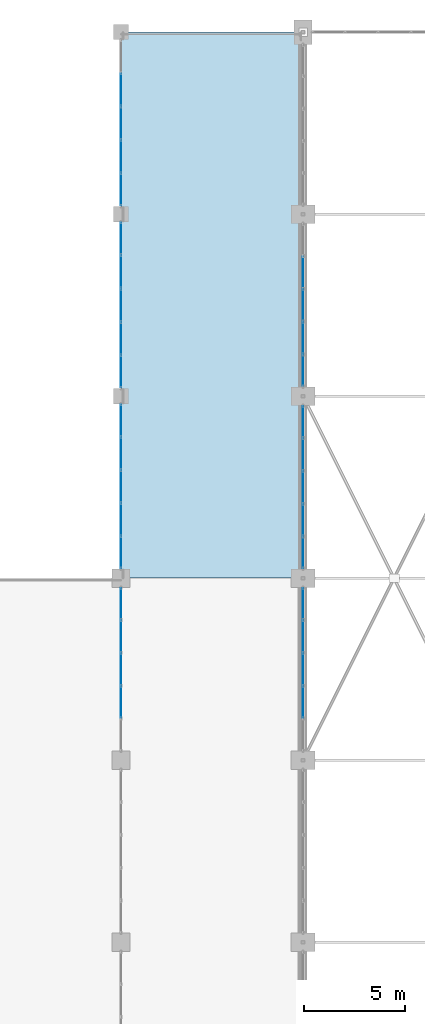
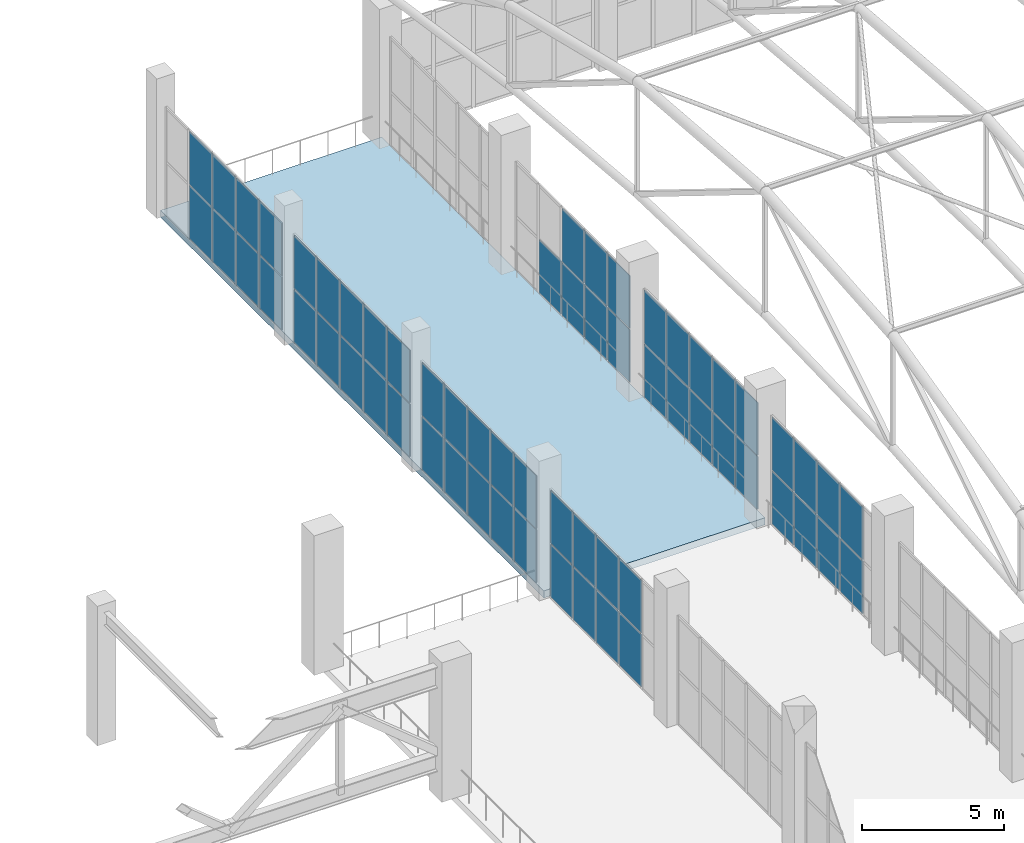
# One storey, part 178 of 223: 61 plates, 1 slab, 7 elements without a shape of their own.
"""IFC4 building model written with IfcOpenShell, lengths in metres."""

from ifc_helpers import new_model, si_unit, direction, frame, origin, origin_2d, place, context, subcontext, project, spatial, polyline, rectangle, outline, extrude, material, layer, layer_set, type_object, element, aggregate, save


model = new_model("IFC4")

# Units and contexts
model_context = context("Model", 3, precision=1e-05, world=origin(), true_north=direction((0.0, 1.0)))
body_context = subcontext(model_context, "Body", "Model", "MODEL_VIEW")
ifc_project = project(units=[si_unit("LENGTHUNIT", "METRE"), si_unit("AREAUNIT", "SQUARE_METRE"), si_unit("VOLUMEUNIT", "CUBIC_METRE"), si_unit("PLANEANGLEUNIT", "RADIAN"), si_unit("MASSUNIT", "GRAM", prefix="KILO")], contexts=[model_context])

# Site, building, storey
site_placement = place(None, origin())
site = spatial("IfcSite", under=ifc_project, at=site_placement, CompositionType="ELEMENT")
building_placement = place(site_placement, origin())
building = spatial("IfcBuilding", under=site, at=building_placement, Name="Dornveld Trade and Exhibition Forum", CompositionType="ELEMENT")
storey_placement = place(building_placement, frame((0.0, 0.0, 6.0)))
storey = spatial("IfcBuildingStorey", under=building, at=storey_placement, Name="L01", CompositionType="ELEMENT", Elevation=6.0)

# Curtain wall, plates
ifc_material_1 = material(Name="Dark-bronze anodised aluminium and low-E glass", Category="aluminium")
ifc_layer_1 = layer(ifc_material_1, 0.177978515625)
ifc_layer_set_1 = layer_set([ifc_layer_1], Name="Dark-bronze anodised aluminium and low-E glass")
curtain_wall_type_1 = type_object("IfcCurtainWallType", Name="CW-SYS-12", PredefinedType="USERDEFINED", material=ifc_layer_set_1)
curtain_wall_1_placement = place(storey_placement, origin())
curtain_wall_1 = element("IfcCurtainWall", 1, at=curtain_wall_1_placement, inside=storey, type_object=curtain_wall_type_1, Name="L01 unitised curtain wall 12", ObjectType="UNITISED_CURTAIN_WALL", PredefinedType="USERDEFINED")
ifc_material_2 = material(Name="Double-glazed low-E solar control glass", Category="glass")
ifc_layer_2 = layer(ifc_material_2, 0.031982421875)
ifc_layer_set_2 = layer_set([ifc_layer_2], Name="Double-glazed low-E solar control glass")
plate_type_1 = type_object("IfcPlateType", Name="CW-PNL-04", PredefinedType="CURTAIN_PANEL", material=ifc_layer_set_2)
plate_1_placement = place(storey_placement, frame((99.0, 133.728271484375, 0.05615234375), z_axis=(0.0, 0.0, 1.0), x_axis=(0.0, -1.0, 0.0)))
plate_1 = element("IfcPlate", 2, at=plate_1_placement, type_object=plate_type_1, Name="CW-12 panel 1.1", PredefinedType="CURTAIN_PANEL", context=body_context, shape_type="SweptSolid", body=[
    extrude(rectangle(XDim=1.531494140625, YDim=0.031982421875, at=origin_2d()), origin(), (0.0, 0.0, 1.0), 2.261962890625),
])
plate_2_placement = place(storey_placement, frame((99.0, 133.728271484375, 2.3779296875), z_axis=(0.0, 0.0, 1.0), x_axis=(0.0, -1.0, 0.0)))
plate_2 = element("IfcPlate", 3, at=plate_2_placement, type_object=plate_type_1, Name="CW-12 panel 1.2", PredefinedType="CURTAIN_PANEL", context=body_context, shape_type="SweptSolid", body=[
    extrude(rectangle(XDim=1.531494140625, YDim=0.031982421875, at=origin_2d()), origin(), (0.0, 0.0, 1.0), 2.261962890625),
])
plate_3_placement = place(storey_placement, frame((99.0, 132.12158203125, 0.05615234375), z_axis=(0.0, 0.0, 1.0), x_axis=(0.0, -1.0, 0.0)))
plate_3 = element("IfcPlate", 4, at=plate_3_placement, type_object=plate_type_1, Name="CW-12 panel 2.1", PredefinedType="CURTAIN_PANEL", context=body_context, shape_type="SweptSolid", body=[
    extrude(rectangle(XDim=1.5615234375, YDim=0.031982421875, at=origin_2d()), origin(), (0.0, 0.0, 1.0), 2.261962890625),
])
plate_4_placement = place(storey_placement, frame((99.0, 132.12158203125, 2.3779296875), z_axis=(0.0, 0.0, 1.0), x_axis=(0.0, -1.0, 0.0)))
plate_4 = element("IfcPlate", 5, at=plate_4_placement, type_object=plate_type_1, Name="CW-12 panel 2.2", PredefinedType="CURTAIN_PANEL", context=body_context, shape_type="SweptSolid", body=[
    extrude(rectangle(XDim=1.5615234375, YDim=0.031982421875, at=origin_2d()), origin(), (0.0, 0.0, 1.0), 2.261962890625),
])
plate_5_placement = place(storey_placement, frame((99.0, 130.5, 0.05615234375), z_axis=(0.0, 0.0, 1.0), x_axis=(0.0, -1.0, 0.0)))
plate_5 = element("IfcPlate", 6, at=plate_5_placement, type_object=plate_type_1, Name="CW-12 panel 3.1", PredefinedType="CURTAIN_PANEL", context=body_context, shape_type="SweptSolid", body=[
    extrude(rectangle(XDim=1.5615234375, YDim=0.031982421875, at=origin_2d()), origin(), (0.0, 0.0, 1.0), 2.261962890625),
])
plate_6_placement = place(storey_placement, frame((99.0, 130.5, 2.3779296875), z_axis=(0.0, 0.0, 1.0), x_axis=(0.0, -1.0, 0.0)))
plate_6 = element("IfcPlate", 7, at=plate_6_placement, type_object=plate_type_1, Name="CW-12 panel 3.2", PredefinedType="CURTAIN_PANEL", context=body_context, shape_type="SweptSolid", body=[
    extrude(rectangle(XDim=1.5615234375, YDim=0.031982421875, at=origin_2d()), origin(), (0.0, 0.0, 1.0), 2.261962890625),
])
plate_7_placement = place(storey_placement, frame((99.0, 128.87841796875, 0.05615234375), z_axis=(0.0, 0.0, 1.0), x_axis=(0.0, -1.0, 0.0)))
plate_7 = element("IfcPlate", 8, at=plate_7_placement, type_object=plate_type_1, Name="CW-12 panel 4.1", PredefinedType="CURTAIN_PANEL", context=body_context, shape_type="SweptSolid", body=[
    extrude(rectangle(XDim=1.5615234375, YDim=0.031982421875, at=origin_2d()), origin(), (0.0, 0.0, 1.0), 2.261962890625),
])
plate_8_placement = place(storey_placement, frame((99.0, 128.87841796875, 2.3779296875), z_axis=(0.0, 0.0, 1.0), x_axis=(0.0, -1.0, 0.0)))
plate_8 = element("IfcPlate", 9, at=plate_8_placement, type_object=plate_type_1, Name="CW-12 panel 4.2", PredefinedType="CURTAIN_PANEL", context=body_context, shape_type="SweptSolid", body=[
    extrude(rectangle(XDim=1.5615234375, YDim=0.031982421875, at=origin_2d()), origin(), (0.0, 0.0, 1.0), 2.261962890625),
])
aggregate(curtain_wall_1, [plate_1, plate_2, plate_3, plate_4, plate_5, plate_6, plate_7, plate_8])

ifc_material_3 = material(Name="Dark-bronze anodised aluminium and low-E glass", Category="aluminium")
ifc_layer_3 = layer(ifc_material_3, 0.154052734375)
ifc_layer_set_3 = layer_set([ifc_layer_3], Name="Dark-bronze anodised aluminium and low-E glass")
curtain_wall_type_2 = type_object("IfcCurtainWallType", Name="CW-SYS-04", PredefinedType="USERDEFINED", material=ifc_layer_set_3)
curtain_wall_2_placement = place(storey_placement, origin())
curtain_wall_2 = element("IfcCurtainWall", 10, at=curtain_wall_2_placement, inside=storey, type_object=curtain_wall_type_2, Name="L01 unitised curtain wall 148", ObjectType="UNITISED_CURTAIN_WALL", PredefinedType="USERDEFINED")
plate_9_placement = place(storey_placement, frame((90.0, 133.728271484375, 0.05615234375), z_axis=(0.0, 0.0, 1.0), x_axis=(0.0, -1.0, 0.0)))
plate_9 = element("IfcPlate", 11, at=plate_9_placement, type_object=plate_type_1, Name="CW-04 panel 1.1", PredefinedType="CURTAIN_PANEL", context=body_context, shape_type="SweptSolid", body=[
    extrude(rectangle(XDim=1.531494140625, YDim=0.031982421875, at=origin_2d()), origin(), (0.0, 0.0, 1.0), 2.261962890625),
])
plate_10_placement = place(storey_placement, frame((90.0, 133.728271484375, 2.3779296875), z_axis=(0.0, 0.0, 1.0), x_axis=(0.0, -1.0, 0.0)))
plate_10 = element("IfcPlate", 12, at=plate_10_placement, type_object=plate_type_1, Name="CW-04 panel 1.2", PredefinedType="CURTAIN_PANEL", context=body_context, shape_type="SweptSolid", body=[
    extrude(rectangle(XDim=1.531494140625, YDim=0.031982421875, at=origin_2d()), origin(), (0.0, 0.0, 1.0), 2.261962890625),
])
plate_11_placement = place(storey_placement, frame((90.0, 132.12158203125, 0.05615234375), z_axis=(0.0, 0.0, 1.0), x_axis=(0.0, -1.0, 0.0)))
plate_11 = element("IfcPlate", 13, at=plate_11_placement, type_object=plate_type_1, Name="CW-04 panel 2.1", PredefinedType="CURTAIN_PANEL", context=body_context, shape_type="SweptSolid", body=[
    extrude(rectangle(XDim=1.5615234375, YDim=0.031982421875, at=origin_2d()), origin(), (0.0, 0.0, 1.0), 2.261962890625),
])
plate_12_placement = place(storey_placement, frame((90.0, 132.12158203125, 2.3779296875), z_axis=(0.0, 0.0, 1.0), x_axis=(0.0, -1.0, 0.0)))
plate_12 = element("IfcPlate", 14, at=plate_12_placement, type_object=plate_type_1, Name="CW-04 panel 2.2", PredefinedType="CURTAIN_PANEL", context=body_context, shape_type="SweptSolid", body=[
    extrude(rectangle(XDim=1.5615234375, YDim=0.031982421875, at=origin_2d()), origin(), (0.0, 0.0, 1.0), 2.261962890625),
])
plate_13_placement = place(storey_placement, frame((90.0, 130.5, 0.05615234375), z_axis=(0.0, 0.0, 1.0), x_axis=(0.0, -1.0, 0.0)))
plate_13 = element("IfcPlate", 15, at=plate_13_placement, type_object=plate_type_1, Name="CW-04 panel 3.1", PredefinedType="CURTAIN_PANEL", context=body_context, shape_type="SweptSolid", body=[
    extrude(rectangle(XDim=1.5615234375, YDim=0.031982421875, at=origin_2d()), origin(), (0.0, 0.0, 1.0), 2.261962890625),
])
plate_14_placement = place(storey_placement, frame((90.0, 130.5, 2.3779296875), z_axis=(0.0, 0.0, 1.0), x_axis=(0.0, -1.0, 0.0)))
plate_14 = element("IfcPlate", 16, at=plate_14_placement, type_object=plate_type_1, Name="CW-04 panel 3.2", PredefinedType="CURTAIN_PANEL", context=body_context, shape_type="SweptSolid", body=[
    extrude(rectangle(XDim=1.5615234375, YDim=0.031982421875, at=origin_2d()), origin(), (0.0, 0.0, 1.0), 2.261962890625),
])
plate_15_placement = place(storey_placement, frame((90.0, 128.87841796875, 0.05615234375), z_axis=(0.0, 0.0, 1.0), x_axis=(0.0, -1.0, 0.0)))
plate_15 = element("IfcPlate", 17, at=plate_15_placement, type_object=plate_type_1, Name="CW-04 panel 4.1", PredefinedType="CURTAIN_PANEL", context=body_context, shape_type="SweptSolid", body=[
    extrude(rectangle(XDim=1.5615234375, YDim=0.031982421875, at=origin_2d()), origin(), (0.0, 0.0, 1.0), 2.261962890625),
])
plate_16_placement = place(storey_placement, frame((90.0, 128.87841796875, 2.3779296875), z_axis=(0.0, 0.0, 1.0), x_axis=(0.0, -1.0, 0.0)))
plate_16 = element("IfcPlate", 18, at=plate_16_placement, type_object=plate_type_1, Name="CW-04 panel 4.2", PredefinedType="CURTAIN_PANEL", context=body_context, shape_type="SweptSolid", body=[
    extrude(rectangle(XDim=1.5615234375, YDim=0.031982421875, at=origin_2d()), origin(), (0.0, 0.0, 1.0), 2.261962890625),
])
aggregate(curtain_wall_2, [plate_9, plate_10, plate_11, plate_12, plate_13, plate_14, plate_15, plate_16])

ifc_material_4 = material(Name="Dark-bronze anodised aluminium and low-E glass", Category="aluminium")
ifc_layer_4 = layer(ifc_material_4, 0.156982421875)
ifc_layer_set_4 = layer_set([ifc_layer_4], Name="Dark-bronze anodised aluminium and low-E glass")
curtain_wall_type_3 = type_object("IfcCurtainWallType", Name="CW-SYS-05", PredefinedType="USERDEFINED", material=ifc_layer_set_4)
curtain_wall_3_placement = place(storey_placement, origin())
curtain_wall_3 = element("IfcCurtainWall", 19, at=curtain_wall_3_placement, inside=storey, type_object=curtain_wall_type_3, Name="L01 unitised curtain wall 149", ObjectType="UNITISED_CURTAIN_WALL", PredefinedType="USERDEFINED")
ifc_material_5 = material(Name="Double-glazed low-E solar control glass", Category="glass")
ifc_layer_5 = layer(ifc_material_5, 0.033935546875)
ifc_layer_set_5 = layer_set([ifc_layer_5], Name="Double-glazed low-E solar control glass")
plate_type_2 = type_object("IfcPlateType", Name="CW-PNL-05", PredefinedType="CURTAIN_PANEL", material=ifc_layer_set_5)
plate_17_placement = place(storey_placement, frame((90.0, 142.795654296875, 0.05615234375), z_axis=(0.0, 0.0, 1.0), x_axis=(0.0, -1.0, 0.0)))
plate_17 = element("IfcPlate", 20, at=plate_17_placement, type_object=plate_type_2, Name="CW-05 panel 1.1", PredefinedType="CURTAIN_PANEL", context=body_context, shape_type="SweptSolid", body=[
    extrude(rectangle(XDim=1.546630859375, YDim=0.033935546875, at=origin_2d()), origin(), (0.0, 0.0, 1.0), 2.261962890625),
])
plate_18_placement = place(storey_placement, frame((90.0, 142.795654296875, 2.3779296875), z_axis=(0.0, 0.0, 1.0), x_axis=(0.0, -1.0, 0.0)))
plate_18 = element("IfcPlate", 21, at=plate_18_placement, type_object=plate_type_2, Name="CW-05 panel 1.2", PredefinedType="CURTAIN_PANEL", context=body_context, shape_type="SweptSolid", body=[
    extrude(rectangle(XDim=1.546630859375, YDim=0.033935546875, at=origin_2d()), origin(), (0.0, 0.0, 1.0), 2.261962890625),
])
plate_19_placement = place(storey_placement, frame((90.0, 141.174072265625, 0.05615234375), z_axis=(0.0, 0.0, 1.0), x_axis=(0.0, -1.0, 0.0)))
plate_19 = element("IfcPlate", 22, at=plate_19_placement, type_object=plate_type_2, Name="CW-05 panel 2.1", PredefinedType="CURTAIN_PANEL", context=body_context, shape_type="SweptSolid", body=[
    extrude(rectangle(XDim=1.57666015625, YDim=0.033935546875, at=origin_2d()), origin(), (0.0, 0.0, 1.0), 2.261962890625),
])
plate_20_placement = place(storey_placement, frame((90.0, 141.174072265625, 2.3779296875), z_axis=(0.0, 0.0, 1.0), x_axis=(0.0, -1.0, 0.0)))
plate_20 = element("IfcPlate", 23, at=plate_20_placement, type_object=plate_type_2, Name="CW-05 panel 2.2", PredefinedType="CURTAIN_PANEL", context=body_context, shape_type="SweptSolid", body=[
    extrude(rectangle(XDim=1.57666015625, YDim=0.033935546875, at=origin_2d()), origin(), (0.0, 0.0, 1.0), 2.261962890625),
])
plate_21_placement = place(storey_placement, frame((90.0, 139.53759765625, 0.05615234375), z_axis=(0.0, 0.0, 1.0), x_axis=(0.0, -1.0, 0.0)))
plate_21 = element("IfcPlate", 24, at=plate_21_placement, type_object=plate_type_2, Name="CW-05 panel 3.1", PredefinedType="CURTAIN_PANEL", context=body_context, shape_type="SweptSolid", body=[
    extrude(rectangle(XDim=1.57666015625, YDim=0.033935546875, at=origin_2d()), origin(), (0.0, 0.0, 1.0), 2.261962890625),
])
plate_22_placement = place(storey_placement, frame((90.0, 139.53759765625, 2.3779296875), z_axis=(0.0, 0.0, 1.0), x_axis=(0.0, -1.0, 0.0)))
plate_22 = element("IfcPlate", 25, at=plate_22_placement, type_object=plate_type_2, Name="CW-05 panel 3.2", PredefinedType="CURTAIN_PANEL", context=body_context, shape_type="SweptSolid", body=[
    extrude(rectangle(XDim=1.57666015625, YDim=0.033935546875, at=origin_2d()), origin(), (0.0, 0.0, 1.0), 2.261962890625),
])
plate_23_placement = place(storey_placement, frame((90.0, 137.90087890625, 0.05615234375), z_axis=(0.0, 0.0, 1.0), x_axis=(0.0, -1.0, 0.0)))
plate_23 = element("IfcPlate", 26, at=plate_23_placement, type_object=plate_type_2, Name="CW-05 panel 4.1", PredefinedType="CURTAIN_PANEL", context=body_context, shape_type="SweptSolid", body=[
    extrude(rectangle(XDim=1.57666015625, YDim=0.033935546875, at=origin_2d()), origin(), (0.0, 0.0, 1.0), 2.261962890625),
])
plate_24_placement = place(storey_placement, frame((90.0, 137.90087890625, 2.3779296875), z_axis=(0.0, 0.0, 1.0), x_axis=(0.0, -1.0, 0.0)))
plate_24 = element("IfcPlate", 27, at=plate_24_placement, type_object=plate_type_2, Name="CW-05 panel 4.2", PredefinedType="CURTAIN_PANEL", context=body_context, shape_type="SweptSolid", body=[
    extrude(rectangle(XDim=1.57666015625, YDim=0.033935546875, at=origin_2d()), origin(), (0.0, 0.0, 1.0), 2.261962890625),
])
plate_25_placement = place(storey_placement, frame((90.0, 136.279296875, 0.05615234375), z_axis=(0.0, 0.0, 1.0), x_axis=(0.0, -1.0, 0.0)))
plate_25 = element("IfcPlate", 28, at=plate_25_placement, type_object=plate_type_2, Name="CW-05 panel 5.1", PredefinedType="CURTAIN_PANEL", context=body_context, shape_type="SweptSolid", body=[
    extrude(rectangle(XDim=1.546630859375, YDim=0.033935546875, at=origin_2d()), origin(), (0.0, 0.0, 1.0), 2.261962890625),
])
plate_26_placement = place(storey_placement, frame((90.0, 136.279296875, 2.3779296875), z_axis=(0.0, 0.0, 1.0), x_axis=(0.0, -1.0, 0.0)))
plate_26 = element("IfcPlate", 29, at=plate_26_placement, type_object=plate_type_2, Name="CW-05 panel 5.2", PredefinedType="CURTAIN_PANEL", context=body_context, shape_type="SweptSolid", body=[
    extrude(rectangle(XDim=1.546630859375, YDim=0.033935546875, at=origin_2d()), origin(), (0.0, 0.0, 1.0), 2.261962890625),
])
aggregate(curtain_wall_3, [plate_17, plate_18, plate_19, plate_20, plate_21, plate_22, plate_23, plate_24, plate_25, plate_26])

ifc_material_6 = material(Name="Dark-bronze anodised aluminium and low-E glass", Category="aluminium")
ifc_layer_6 = layer(ifc_material_6, 0.18408203125)
ifc_layer_set_6 = layer_set([ifc_layer_6], Name="Dark-bronze anodised aluminium and low-E glass")
curtain_wall_type_4 = type_object("IfcCurtainWallType", Name="CW-SYS-14", PredefinedType="USERDEFINED", material=ifc_layer_set_6)
curtain_wall_4_placement = place(storey_placement, origin())
curtain_wall_4 = element("IfcCurtainWall", 30, at=curtain_wall_4_placement, inside=storey, type_object=curtain_wall_type_4, Name="L01 unitised curtain wall 14", ObjectType="UNITISED_CURTAIN_WALL", PredefinedType="USERDEFINED")
ifc_material_7 = material(Name="Double-glazed low-E solar control glass", Category="glass")
ifc_layer_7 = layer(ifc_material_7, 0.035888671875)
ifc_layer_set_7 = layer_set([ifc_layer_7], Name="Double-glazed low-E solar control glass")
plate_type_3 = type_object("IfcPlateType", Name="CW-PNL-06", PredefinedType="CURTAIN_PANEL", material=ifc_layer_set_7)
plate_27_placement = place(storey_placement, frame((99.0, 142.728271484375, 0.05615234375), z_axis=(0.0, 0.0, 1.0), x_axis=(0.0, -1.0, 0.0)))
plate_27 = element("IfcPlate", 31, at=plate_27_placement, type_object=plate_type_3, Name="CW-14 panel 1.1", PredefinedType="CURTAIN_PANEL", context=body_context, shape_type="SweptSolid", body=[
    extrude(rectangle(XDim=1.531494140625, YDim=0.035888671875, at=origin_2d()), origin(), (0.0, 0.0, 1.0), 2.261962890625),
])
plate_28_placement = place(storey_placement, frame((99.0, 142.728271484375, 2.3779296875), z_axis=(0.0, 0.0, 1.0), x_axis=(0.0, -1.0, 0.0)))
plate_28 = element("IfcPlate", 32, at=plate_28_placement, type_object=plate_type_3, Name="CW-14 panel 1.2", PredefinedType="CURTAIN_PANEL", context=body_context, shape_type="SweptSolid", body=[
    extrude(rectangle(XDim=1.531494140625, YDim=0.035888671875, at=origin_2d()), origin(), (0.0, 0.0, 1.0), 2.261962890625),
])
plate_29_placement = place(storey_placement, frame((99.0, 141.12158203125, 0.05615234375), z_axis=(0.0, 0.0, 1.0), x_axis=(0.0, -1.0, 0.0)))
plate_29 = element("IfcPlate", 33, at=plate_29_placement, type_object=plate_type_3, Name="CW-14 panel 2.1", PredefinedType="CURTAIN_PANEL", context=body_context, shape_type="SweptSolid", body=[
    extrude(rectangle(XDim=1.5615234375, YDim=0.035888671875, at=origin_2d()), origin(), (0.0, 0.0, 1.0), 2.261962890625),
])
plate_30_placement = place(storey_placement, frame((99.0, 141.12158203125, 2.3779296875), z_axis=(0.0, 0.0, 1.0), x_axis=(0.0, -1.0, 0.0)))
plate_30 = element("IfcPlate", 34, at=plate_30_placement, type_object=plate_type_3, Name="CW-14 panel 2.2", PredefinedType="CURTAIN_PANEL", context=body_context, shape_type="SweptSolid", body=[
    extrude(rectangle(XDim=1.5615234375, YDim=0.035888671875, at=origin_2d()), origin(), (0.0, 0.0, 1.0), 2.261962890625),
])
plate_31_placement = place(storey_placement, frame((99.0, 139.5, 0.05615234375), z_axis=(0.0, 0.0, 1.0), x_axis=(0.0, -1.0, 0.0)))
plate_31 = element("IfcPlate", 35, at=plate_31_placement, type_object=plate_type_3, Name="CW-14 panel 3.1", PredefinedType="CURTAIN_PANEL", context=body_context, shape_type="SweptSolid", body=[
    extrude(rectangle(XDim=1.5615234375, YDim=0.035888671875, at=origin_2d()), origin(), (0.0, 0.0, 1.0), 2.261962890625),
])
plate_32_placement = place(storey_placement, frame((99.0, 139.5, 2.3779296875), z_axis=(0.0, 0.0, 1.0), x_axis=(0.0, -1.0, 0.0)))
plate_32 = element("IfcPlate", 36, at=plate_32_placement, type_object=plate_type_3, Name="CW-14 panel 3.2", PredefinedType="CURTAIN_PANEL", context=body_context, shape_type="SweptSolid", body=[
    extrude(rectangle(XDim=1.5615234375, YDim=0.035888671875, at=origin_2d()), origin(), (0.0, 0.0, 1.0), 2.261962890625),
])
plate_33_placement = place(storey_placement, frame((99.0, 137.87841796875, 0.05615234375), z_axis=(0.0, 0.0, 1.0), x_axis=(0.0, -1.0, 0.0)))
plate_33 = element("IfcPlate", 37, at=plate_33_placement, type_object=plate_type_3, Name="CW-14 panel 4.1", PredefinedType="CURTAIN_PANEL", context=body_context, shape_type="SweptSolid", body=[
    extrude(rectangle(XDim=1.5615234375, YDim=0.035888671875, at=origin_2d()), origin(), (0.0, 0.0, 1.0), 2.261962890625),
])
plate_34_placement = place(storey_placement, frame((99.0, 137.87841796875, 2.3779296875), z_axis=(0.0, 0.0, 1.0), x_axis=(0.0, -1.0, 0.0)))
plate_34 = element("IfcPlate", 38, at=plate_34_placement, type_object=plate_type_3, Name="CW-14 panel 4.2", PredefinedType="CURTAIN_PANEL", context=body_context, shape_type="SweptSolid", body=[
    extrude(rectangle(XDim=1.5615234375, YDim=0.035888671875, at=origin_2d()), origin(), (0.0, 0.0, 1.0), 2.261962890625),
])
plate_35_placement = place(storey_placement, frame((99.0, 136.271728515625, 0.05615234375), z_axis=(0.0, 0.0, 1.0), x_axis=(0.0, -1.0, 0.0)))
plate_35 = element("IfcPlate", 39, at=plate_35_placement, type_object=plate_type_3, Name="CW-14 panel 5.1", PredefinedType="CURTAIN_PANEL", context=body_context, shape_type="SweptSolid", body=[
    extrude(rectangle(XDim=1.531494140625, YDim=0.035888671875, at=origin_2d()), origin(), (0.0, 0.0, 1.0), 2.261962890625),
])
plate_36_placement = place(storey_placement, frame((99.0, 136.271728515625, 2.3779296875), z_axis=(0.0, 0.0, 1.0), x_axis=(0.0, -1.0, 0.0)))
plate_36 = element("IfcPlate", 40, at=plate_36_placement, type_object=plate_type_3, Name="CW-14 panel 5.2", PredefinedType="CURTAIN_PANEL", context=body_context, shape_type="SweptSolid", body=[
    extrude(rectangle(XDim=1.531494140625, YDim=0.035888671875, at=origin_2d()), origin(), (0.0, 0.0, 1.0), 2.261962890625),
])
aggregate(curtain_wall_4, [plate_27, plate_28, plate_29, plate_30, plate_31, plate_32, plate_33, plate_34, plate_35, plate_36])

ifc_material_8 = material(Name="Dark-bronze anodised aluminium and low-E glass", Category="aluminium")
ifc_layer_8 = layer(ifc_material_8, 0.159912109375)
ifc_layer_set_8 = layer_set([ifc_layer_8], Name="Dark-bronze anodised aluminium and low-E glass")
curtain_wall_type_5 = type_object("IfcCurtainWallType", Name="CW-SYS-06", PredefinedType="USERDEFINED", material=ifc_layer_set_8)
curtain_wall_5_placement = place(storey_placement, origin())
curtain_wall_5 = element("IfcCurtainWall", 41, at=curtain_wall_5_placement, inside=storey, type_object=curtain_wall_type_5, Name="L01 unitised curtain wall 150", ObjectType="UNITISED_CURTAIN_WALL", PredefinedType="USERDEFINED")
plate_37_placement = place(storey_placement, frame((90.0, 151.7880859375, 0.05615234375), z_axis=(0.0, 0.0, 1.0), x_axis=(0.0, -1.0, 0.0)))
plate_37 = element("IfcPlate", 42, at=plate_37_placement, type_object=plate_type_3, Name="CW-06 panel 1.1", PredefinedType="CURTAIN_PANEL", context=body_context, shape_type="SweptSolid", body=[
    extrude(rectangle(XDim=1.5615234375, YDim=0.035888671875, at=origin_2d()), origin(), (0.0, 0.0, 1.0), 2.261962890625),
])
plate_38_placement = place(storey_placement, frame((90.0, 151.7880859375, 2.3779296875), z_axis=(0.0, 0.0, 1.0), x_axis=(0.0, -1.0, 0.0)))
plate_38 = element("IfcPlate", 43, at=plate_38_placement, type_object=plate_type_3, Name="CW-06 panel 1.2", PredefinedType="CURTAIN_PANEL", context=body_context, shape_type="SweptSolid", body=[
    extrude(rectangle(XDim=1.5615234375, YDim=0.035888671875, at=origin_2d()), origin(), (0.0, 0.0, 1.0), 2.261962890625),
])
plate_39_placement = place(storey_placement, frame((90.0, 150.151611328125, 0.05615234375), z_axis=(0.0, 0.0, 1.0), x_axis=(0.0, -1.0, 0.0)))
plate_39 = element("IfcPlate", 44, at=plate_39_placement, type_object=plate_type_3, Name="CW-06 panel 2.1", PredefinedType="CURTAIN_PANEL", context=body_context, shape_type="SweptSolid", body=[
    extrude(rectangle(XDim=1.591552734375, YDim=0.035888671875, at=origin_2d()), origin(), (0.0, 0.0, 1.0), 2.261962890625),
])
plate_40_placement = place(storey_placement, frame((90.0, 150.151611328125, 2.3779296875), z_axis=(0.0, 0.0, 1.0), x_axis=(0.0, -1.0, 0.0)))
plate_40 = element("IfcPlate", 45, at=plate_40_placement, type_object=plate_type_3, Name="CW-06 panel 2.2", PredefinedType="CURTAIN_PANEL", context=body_context, shape_type="SweptSolid", body=[
    extrude(rectangle(XDim=1.591552734375, YDim=0.035888671875, at=origin_2d()), origin(), (0.0, 0.0, 1.0), 2.261962890625),
])
plate_41_placement = place(storey_placement, frame((90.0, 148.5, 0.05615234375), z_axis=(0.0, 0.0, 1.0), x_axis=(0.0, -1.0, 0.0)))
plate_41 = element("IfcPlate", 46, at=plate_41_placement, type_object=plate_type_3, Name="CW-06 panel 3.1", PredefinedType="CURTAIN_PANEL", context=body_context, shape_type="SweptSolid", body=[
    extrude(rectangle(XDim=1.591552734375, YDim=0.035888671875, at=origin_2d()), origin(), (0.0, 0.0, 1.0), 2.261962890625),
])
plate_42_placement = place(storey_placement, frame((90.0, 148.5, 2.3779296875), z_axis=(0.0, 0.0, 1.0), x_axis=(0.0, -1.0, 0.0)))
plate_42 = element("IfcPlate", 47, at=plate_42_placement, type_object=plate_type_3, Name="CW-06 panel 3.2", PredefinedType="CURTAIN_PANEL", context=body_context, shape_type="SweptSolid", body=[
    extrude(rectangle(XDim=1.591552734375, YDim=0.035888671875, at=origin_2d()), origin(), (0.0, 0.0, 1.0), 2.261962890625),
])
plate_43_placement = place(storey_placement, frame((90.0, 146.848388671875, 0.05615234375), z_axis=(0.0, 0.0, 1.0), x_axis=(0.0, -1.0, 0.0)))
plate_43 = element("IfcPlate", 48, at=plate_43_placement, type_object=plate_type_3, Name="CW-06 panel 4.1", PredefinedType="CURTAIN_PANEL", context=body_context, shape_type="SweptSolid", body=[
    extrude(rectangle(XDim=1.591552734375, YDim=0.035888671875, at=origin_2d()), origin(), (0.0, 0.0, 1.0), 2.261962890625),
])
plate_44_placement = place(storey_placement, frame((90.0, 146.848388671875, 2.3779296875), z_axis=(0.0, 0.0, 1.0), x_axis=(0.0, -1.0, 0.0)))
plate_44 = element("IfcPlate", 49, at=plate_44_placement, type_object=plate_type_3, Name="CW-06 panel 4.2", PredefinedType="CURTAIN_PANEL", context=body_context, shape_type="SweptSolid", body=[
    extrude(rectangle(XDim=1.591552734375, YDim=0.035888671875, at=origin_2d()), origin(), (0.0, 0.0, 1.0), 2.261962890625),
])
plate_45_placement = place(storey_placement, frame((90.0, 145.2119140625, 0.05615234375), z_axis=(0.0, 0.0, 1.0), x_axis=(0.0, -1.0, 0.0)))
plate_45 = element("IfcPlate", 50, at=plate_45_placement, type_object=plate_type_3, Name="CW-06 panel 5.1", PredefinedType="CURTAIN_PANEL", context=body_context, shape_type="SweptSolid", body=[
    extrude(rectangle(XDim=1.5615234375, YDim=0.035888671875, at=origin_2d()), origin(), (0.0, 0.0, 1.0), 2.261962890625),
])
plate_46_placement = place(storey_placement, frame((90.0, 145.2119140625, 2.3779296875), z_axis=(0.0, 0.0, 1.0), x_axis=(0.0, -1.0, 0.0)))
plate_46 = element("IfcPlate", 51, at=plate_46_placement, type_object=plate_type_3, Name="CW-06 panel 5.2", PredefinedType="CURTAIN_PANEL", context=body_context, shape_type="SweptSolid", body=[
    extrude(rectangle(XDim=1.5615234375, YDim=0.035888671875, at=origin_2d()), origin(), (0.0, 0.0, 1.0), 2.261962890625),
])
aggregate(curtain_wall_5, [plate_37, plate_38, plate_39, plate_40, plate_41, plate_42, plate_43, plate_44, plate_45, plate_46])

ifc_material_9 = material(Name="Dark-bronze anodised aluminium and low-E glass", Category="aluminium")
ifc_layer_9 = layer(ifc_material_9, 0.1630859375)
ifc_layer_set_9 = layer_set([ifc_layer_9], Name="Dark-bronze anodised aluminium and low-E glass")
curtain_wall_type_6 = type_object("IfcCurtainWallType", Name="CW-SYS-07", PredefinedType="USERDEFINED", material=ifc_layer_set_9)
curtain_wall_6_placement = place(storey_placement, origin())
curtain_wall_6 = element("IfcCurtainWall", 52, at=curtain_wall_6_placement, inside=storey, type_object=curtain_wall_type_6, Name="L01 unitised curtain wall 151", ObjectType="UNITISED_CURTAIN_WALL", PredefinedType="USERDEFINED")
ifc_material_10 = material(Name="Double-glazed low-E solar control glass", Category="glass")
ifc_layer_10 = layer(ifc_material_10, 0.0380859375)
ifc_layer_set_10 = layer_set([ifc_layer_10], Name="Double-glazed low-E solar control glass")
plate_type_4 = type_object("IfcPlateType", Name="CW-PNL-07", PredefinedType="CURTAIN_PANEL", material=ifc_layer_set_10)
plate_47_placement = place(storey_placement, frame((90.0, 159.151611328125, 0.05615234375), z_axis=(0.0, 0.0, 1.0), x_axis=(0.0, -1.0, 0.0)))
plate_47 = element("IfcPlate", 53, at=plate_47_placement, type_object=plate_type_4, Name="CW-07 panel 2.1", PredefinedType="CURTAIN_PANEL", context=body_context, shape_type="SweptSolid", body=[
    extrude(rectangle(XDim=1.591552734375, YDim=0.0380859375, at=origin_2d()), origin(), (0.0, 0.0, 1.0), 2.261962890625),
])
plate_48_placement = place(storey_placement, frame((90.0, 159.151611328125, 2.3779296875), z_axis=(0.0, 0.0, 1.0), x_axis=(0.0, -1.0, 0.0)))
plate_48 = element("IfcPlate", 54, at=plate_48_placement, type_object=plate_type_4, Name="CW-07 panel 2.2", PredefinedType="CURTAIN_PANEL", context=body_context, shape_type="SweptSolid", body=[
    extrude(rectangle(XDim=1.591552734375, YDim=0.0380859375, at=origin_2d()), origin(), (0.0, 0.0, 1.0), 2.261962890625),
])
plate_49_placement = place(storey_placement, frame((90.0, 157.5, 0.05615234375), z_axis=(0.0, 0.0, 1.0), x_axis=(0.0, -1.0, 0.0)))
plate_49 = element("IfcPlate", 55, at=plate_49_placement, type_object=plate_type_4, Name="CW-07 panel 3.1", PredefinedType="CURTAIN_PANEL", context=body_context, shape_type="SweptSolid", body=[
    extrude(rectangle(XDim=1.591552734375, YDim=0.0380859375, at=origin_2d()), origin(), (0.0, 0.0, 1.0), 2.261962890625),
])
plate_50_placement = place(storey_placement, frame((90.0, 157.5, 2.3779296875), z_axis=(0.0, 0.0, 1.0), x_axis=(0.0, -1.0, 0.0)))
plate_50 = element("IfcPlate", 56, at=plate_50_placement, type_object=plate_type_4, Name="CW-07 panel 3.2", PredefinedType="CURTAIN_PANEL", context=body_context, shape_type="SweptSolid", body=[
    extrude(rectangle(XDim=1.591552734375, YDim=0.0380859375, at=origin_2d()), origin(), (0.0, 0.0, 1.0), 2.261962890625),
])
plate_51_placement = place(storey_placement, frame((90.0, 155.848388671875, 0.05615234375), z_axis=(0.0, 0.0, 1.0), x_axis=(0.0, -1.0, 0.0)))
plate_51 = element("IfcPlate", 57, at=plate_51_placement, type_object=plate_type_4, Name="CW-07 panel 4.1", PredefinedType="CURTAIN_PANEL", context=body_context, shape_type="SweptSolid", body=[
    extrude(rectangle(XDim=1.591552734375, YDim=0.0380859375, at=origin_2d()), origin(), (0.0, 0.0, 1.0), 2.261962890625),
])
plate_52_placement = place(storey_placement, frame((90.0, 155.848388671875, 2.3779296875), z_axis=(0.0, 0.0, 1.0), x_axis=(0.0, -1.0, 0.0)))
plate_52 = element("IfcPlate", 58, at=plate_52_placement, type_object=plate_type_4, Name="CW-07 panel 4.2", PredefinedType="CURTAIN_PANEL", context=body_context, shape_type="SweptSolid", body=[
    extrude(rectangle(XDim=1.591552734375, YDim=0.0380859375, at=origin_2d()), origin(), (0.0, 0.0, 1.0), 2.261962890625),
])
plate_53_placement = place(storey_placement, frame((90.0, 154.2119140625, 0.05615234375), z_axis=(0.0, 0.0, 1.0), x_axis=(0.0, -1.0, 0.0)))
plate_53 = element("IfcPlate", 59, at=plate_53_placement, type_object=plate_type_4, Name="CW-07 panel 5.1", PredefinedType="CURTAIN_PANEL", context=body_context, shape_type="SweptSolid", body=[
    extrude(rectangle(XDim=1.5615234375, YDim=0.0380859375, at=origin_2d()), origin(), (0.0, 0.0, 1.0), 2.261962890625),
])
plate_54_placement = place(storey_placement, frame((90.0, 154.2119140625, 2.3779296875), z_axis=(0.0, 0.0, 1.0), x_axis=(0.0, -1.0, 0.0)))
plate_54 = element("IfcPlate", 60, at=plate_54_placement, type_object=plate_type_4, Name="CW-07 panel 5.2", PredefinedType="CURTAIN_PANEL", context=body_context, shape_type="SweptSolid", body=[
    extrude(rectangle(XDim=1.5615234375, YDim=0.0380859375, at=origin_2d()), origin(), (0.0, 0.0, 1.0), 2.261962890625),
])
aggregate(curtain_wall_6, [plate_47, plate_48, plate_49, plate_50, plate_51, plate_52, plate_53, plate_54])

ifc_material_11 = material(Name="Dark-bronze anodised aluminium and low-E glass", Category="aluminium")
ifc_layer_11 = layer(ifc_material_11, 0.18994140625)
ifc_layer_set_11 = layer_set([ifc_layer_11], Name="Dark-bronze anodised aluminium and low-E glass")
curtain_wall_type_7 = type_object("IfcCurtainWallType", Name="CW-SYS-16", PredefinedType="USERDEFINED", material=ifc_layer_set_11)
curtain_wall_7_placement = place(storey_placement, origin())
curtain_wall_7 = element("IfcCurtainWall", 61, at=curtain_wall_7_placement, inside=storey, type_object=curtain_wall_type_7, Name="L01 unitised curtain wall 16", ObjectType="UNITISED_CURTAIN_WALL", PredefinedType="USERDEFINED")
ifc_material_12 = material(Name="Double-glazed low-E solar control glass", Category="glass")
ifc_layer_12 = layer(ifc_material_12, 0.0400390625)
ifc_layer_set_12 = layer_set([ifc_layer_12], Name="Double-glazed low-E solar control glass")
plate_type_5 = type_object("IfcPlateType", Name="CW-PNL-08", PredefinedType="CURTAIN_PANEL", material=ifc_layer_set_12)
plate_55_placement = place(storey_placement, frame((99.0, 150.12158203125, 0.05615234375), z_axis=(0.0, 0.0, 1.0), x_axis=(0.0, -1.0, 0.0)))
plate_55 = element("IfcPlate", 62, at=plate_55_placement, type_object=plate_type_5, Name="CW-16 panel 2.1", PredefinedType="CURTAIN_PANEL", context=body_context, shape_type="SweptSolid", body=[
    extrude(rectangle(XDim=1.5615234375, YDim=0.0400390625, at=origin_2d()), origin(), (0.0, 0.0, 1.0), 2.261962890625),
])
plate_56_placement = place(storey_placement, frame((99.0, 148.5, 0.05615234375), z_axis=(0.0, 0.0, 1.0), x_axis=(0.0, -1.0, 0.0)))
plate_56 = element("IfcPlate", 63, at=plate_56_placement, type_object=plate_type_5, Name="CW-16 panel 3.1", PredefinedType="CURTAIN_PANEL", context=body_context, shape_type="SweptSolid", body=[
    extrude(rectangle(XDim=1.5615234375, YDim=0.0400390625, at=origin_2d()), origin(), (0.0, 0.0, 1.0), 2.261962890625),
])
plate_57_placement = place(storey_placement, frame((99.0, 148.5, 2.3779296875), z_axis=(0.0, 0.0, 1.0), x_axis=(0.0, -1.0, 0.0)))
plate_57 = element("IfcPlate", 64, at=plate_57_placement, type_object=plate_type_5, Name="CW-16 panel 3.2", PredefinedType="CURTAIN_PANEL", context=body_context, shape_type="SweptSolid", body=[
    extrude(rectangle(XDim=1.5615234375, YDim=0.0400390625, at=origin_2d()), origin(), (0.0, 0.0, 1.0), 2.261962890625),
])
plate_58_placement = place(storey_placement, frame((99.0, 146.87841796875, 0.05615234375), z_axis=(0.0, 0.0, 1.0), x_axis=(0.0, -1.0, 0.0)))
plate_58 = element("IfcPlate", 65, at=plate_58_placement, type_object=plate_type_5, Name="CW-16 panel 4.1", PredefinedType="CURTAIN_PANEL", context=body_context, shape_type="SweptSolid", body=[
    extrude(rectangle(XDim=1.5615234375, YDim=0.0400390625, at=origin_2d()), origin(), (0.0, 0.0, 1.0), 2.261962890625),
])
plate_59_placement = place(storey_placement, frame((99.0, 146.87841796875, 2.3779296875), z_axis=(0.0, 0.0, 1.0), x_axis=(0.0, -1.0, 0.0)))
plate_59 = element("IfcPlate", 66, at=plate_59_placement, type_object=plate_type_5, Name="CW-16 panel 4.2", PredefinedType="CURTAIN_PANEL", context=body_context, shape_type="SweptSolid", body=[
    extrude(rectangle(XDim=1.5615234375, YDim=0.0400390625, at=origin_2d()), origin(), (0.0, 0.0, 1.0), 2.261962890625),
])
plate_60_placement = place(storey_placement, frame((99.0, 145.271728515625, 0.05615234375), z_axis=(0.0, 0.0, 1.0), x_axis=(0.0, -1.0, 0.0)))
plate_60 = element("IfcPlate", 67, at=plate_60_placement, type_object=plate_type_5, Name="CW-16 panel 5.1", PredefinedType="CURTAIN_PANEL", context=body_context, shape_type="SweptSolid", body=[
    extrude(rectangle(XDim=1.531494140625, YDim=0.0400390625, at=origin_2d()), origin(), (0.0, 0.0, 1.0), 2.261962890625),
])
plate_61_placement = place(storey_placement, frame((99.0, 145.271728515625, 2.3779296875), z_axis=(0.0, 0.0, 1.0), x_axis=(0.0, -1.0, 0.0)))
plate_61 = element("IfcPlate", 68, at=plate_61_placement, type_object=plate_type_5, Name="CW-16 panel 5.2", PredefinedType="CURTAIN_PANEL", context=body_context, shape_type="SweptSolid", body=[
    extrude(rectangle(XDim=1.531494140625, YDim=0.0400390625, at=origin_2d()), origin(), (0.0, 0.0, 1.0), 2.261962890625),
])
aggregate(curtain_wall_7, [plate_55, plate_56, plate_57, plate_58, plate_59, plate_60, plate_61])

# Slab
ifc_material_13 = material(Name="Precast concrete C50/60", Category="concrete")
ifc_layer_13 = layer(ifc_material_13, 0.300048828125)
ifc_layer_set_13 = layer_set([ifc_layer_13], Name="Precast concrete C50/60")
slab_type = type_object("IfcSlabType", Name="SL-CONC-300", PredefinedType="FLOOR", material=ifc_layer_set_13)
slab_placement = place(storey_placement, frame((0.0, 0.0, -0.300048828125)))
element("IfcSlab", 69, at=slab_placement, inside=storey, type_object=slab_type, Name="L01 structural slab panel 34", PredefinedType="FLOOR", context=body_context, shape_type="SweptSolid", body=[
    extrude(outline(polyline([(90.0, 135.0), (99.0, 135.0), (99.0, 162.0), (90.0, 162.0), (90.0, 135.0)])), origin(), (0.0, 0.0, 1.0), 0.300048828125),
])

save(model, "model.ifc")
